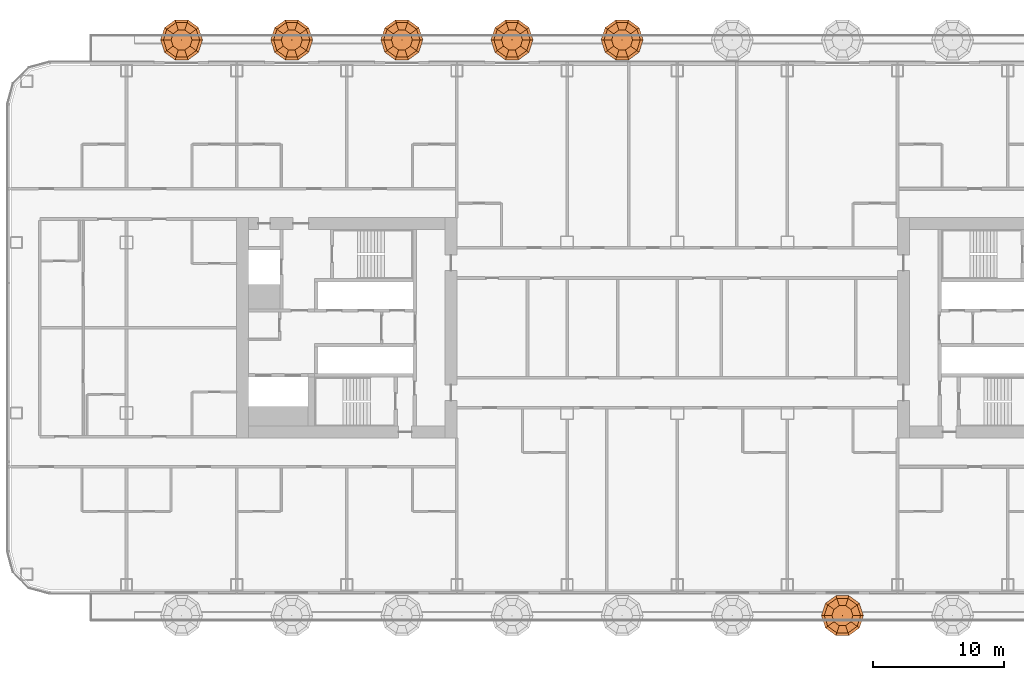
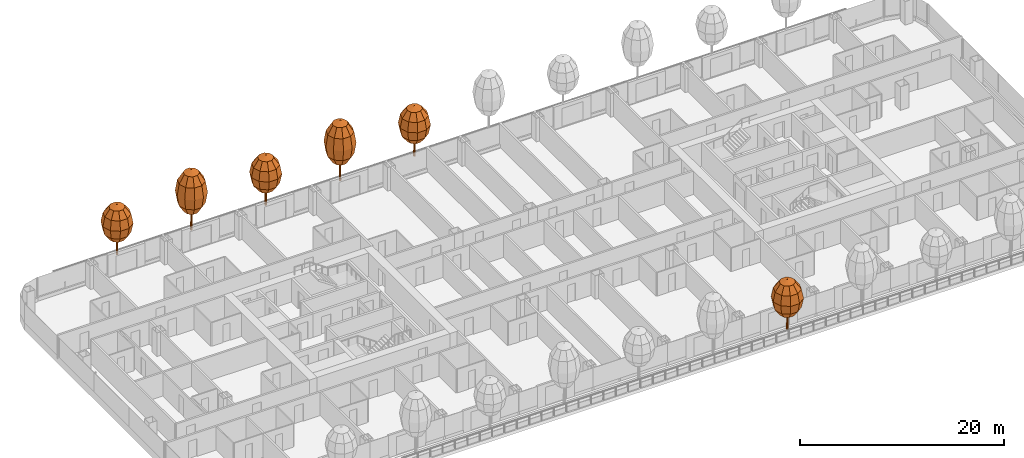
# One storey, part 33 of 35: 6 geographic elements.
"""IFC4 building model written with IfcOpenShell, lengths in metres."""

from ifc_helpers import new_model, si_unit, direction, frame, origin, place, context, subcontext, project, spatial, triangles, material, type_object, element, save


model = new_model("IFC4")

# Units and contexts
model_context = context("Model", 3, precision=1e-05, world=origin(), true_north=direction((0.0, 1.0)))
body_context = subcontext(model_context, "Body", "Model", "MODEL_VIEW")
ifc_project = project(units=[si_unit("LENGTHUNIT", "METRE"), si_unit("AREAUNIT", "SQUARE_METRE"), si_unit("VOLUMEUNIT", "CUBIC_METRE"), si_unit("PLANEANGLEUNIT", "RADIAN"), si_unit("MASSUNIT", "GRAM", prefix="KILO")], contexts=[model_context])

# Site, building, storey
site_placement = place(None, origin())
site = spatial("IfcSite", under=ifc_project, at=site_placement, CompositionType="ELEMENT")
building_placement = place(site_placement, origin())
building = spatial("IfcBuilding", under=site, at=building_placement, Name="Hakoniwa Tower and Hamabe Station Hall", CompositionType="ELEMENT")
storey_placement = place(building_placement, frame((0.0, 0.0, 51.800048828125)))
storey = spatial("IfcBuildingStorey", under=building, at=storey_placement, Name="L14", CompositionType="ELEMENT", Elevation=51.800048828125)

# Geographic elements
ifc_material_1 = material(Name="Tree foliage")
geographic_element_type_1 = type_object("IfcGeographicElementType", Name="Japanese maple 7.2 m", PredefinedType="USERDEFINED", material=ifc_material_1)
geographic_element_1_placement = place(storey_placement, frame((-29.39990234375, 21.949951171875, 0.89990234375)))
element("IfcGeographicElement", 1, at=geographic_element_1_placement, inside=storey, type_object=geographic_element_type_1, Name="Japanese maple 7-2 m", ObjectType="TREE", PredefinedType="USERDEFINED", context=body_context, shape_type="Tessellation", body=[
    triangles([(0.125, 0.0, 0.0), (0.08837890625, 0.08837890625, 0.0), (0.0, 0.125, 0.0), (-0.08837890625, 0.08837890625, 0.0), (-0.125, 0.0, 0.0), (-0.08837890625, -0.08837890625, 0.0), (0.0, -0.125, 0.0), (0.08837890625, -0.08837890625, 0.0), (0.074951171875, 0.0, 4.348876953125), (0.052978515625, 0.052978515625, 4.348876953125), (0.0, 0.074951171875, 4.348876953125), (-0.052978515625, 0.052978515625, 4.348876953125), (-0.074951171875, 0.0, 4.348876953125), (-0.052978515625, -0.052978515625, 4.348876953125), (0.0, -0.074951171875, 4.348876953125), (0.052978515625, -0.052978515625, 4.348876953125), (0.0, 0.0, 0.0), (0.0, 0.0, 4.348876953125)], [[1, 2, 10], [1, 10, 9], [17, 2, 1], [18, 9, 10], [2, 3, 11], [2, 11, 10], [17, 3, 2], [18, 10, 11], [3, 4, 12], [3, 12, 11], [17, 4, 3], [18, 11, 12], [4, 5, 13], [4, 13, 12], [17, 5, 4], [18, 12, 13], [5, 6, 14], [5, 14, 13], [17, 6, 5], [18, 13, 14], [6, 7, 15], [6, 15, 14], [17, 7, 6], [18, 14, 15], [7, 8, 16], [7, 16, 15], [17, 8, 7], [18, 15, 16], [8, 1, 9], [8, 9, 16], [17, 1, 8], [18, 16, 9]], closed=True),
    triangles([(0.0, 0.0, 2.015869140625), (0.800048828125, 0.0, 2.36328125), (0.647216796875, 0.47021484375, 2.36328125), (0.247314453125, 0.7607421875, 2.36328125), (-0.247314453125, 0.7607421875, 2.36328125), (-0.647216796875, 0.47021484375, 2.36328125), (-0.800048828125, 0.0, 2.36328125), (-0.647216796875, -0.47021484375, 2.36328125), (-0.247314453125, -0.7607421875, 2.36328125), (0.247314453125, -0.7607421875, 2.36328125), (0.647216796875, -0.47021484375, 2.36328125), (1.385498046875, 0.0, 3.31201171875), (1.12109375, 0.814453125, 3.31201171875), (0.42822265625, 1.31787109375, 3.31201171875), (-0.42822265625, 1.31787109375, 3.31201171875), (-1.12109375, 0.814453125, 3.31201171875), (-1.385498046875, 0.0, 3.31201171875), (-1.12109375, -0.814453125, 3.31201171875), (-0.42822265625, -1.31787109375, 3.31201171875), (0.42822265625, -1.31787109375, 3.31201171875), (1.12109375, -0.814453125, 3.31201171875), (1.60009765625, 0.0, 4.60791015625), (1.29443359375, 0.9404296875, 4.60791015625), (0.494384765625, 1.521728515625, 4.60791015625), (-0.494384765625, 1.521728515625, 4.60791015625), (-1.29443359375, 0.9404296875, 4.60791015625), (-1.60009765625, 0.0, 4.60791015625), (-1.29443359375, -0.9404296875, 4.60791015625), (-0.494384765625, -1.521728515625, 4.60791015625), (0.494384765625, -1.521728515625, 4.60791015625), (1.29443359375, -0.9404296875, 4.60791015625), (1.385498046875, 0.0, 5.904052734375), (1.12109375, 0.814453125, 5.904052734375), (0.42822265625, 1.31787109375, 5.904052734375), (-0.42822265625, 1.31787109375, 5.904052734375), (-1.12109375, 0.814453125, 5.904052734375), (-1.385498046875, 0.0, 5.904052734375), (-1.12109375, -0.814453125, 5.904052734375), (-0.42822265625, -1.31787109375, 5.904052734375), (0.42822265625, -1.31787109375, 5.904052734375), (1.12109375, -0.814453125, 5.904052734375), (0.800048828125, 0.0, 6.852783203125), (0.647216796875, 0.47021484375, 6.852783203125), (0.247314453125, 0.7607421875, 6.852783203125), (-0.247314453125, 0.7607421875, 6.852783203125), (-0.647216796875, 0.47021484375, 6.852783203125), (-0.800048828125, 0.0, 6.852783203125), (-0.647216796875, -0.47021484375, 6.852783203125), (-0.247314453125, -0.7607421875, 6.852783203125), (0.247314453125, -0.7607421875, 6.852783203125), (0.647216796875, -0.47021484375, 6.852783203125), (0.0, 0.0, 7.199951171875)], [[1, 3, 2], [1, 4, 3], [1, 5, 4], [1, 6, 5], [1, 7, 6], [1, 8, 7], [1, 9, 8], [1, 10, 9], [1, 11, 10], [1, 2, 11], [2, 3, 13], [2, 13, 12], [3, 4, 14], [3, 14, 13], [4, 5, 15], [4, 15, 14], [5, 6, 16], [5, 16, 15], [6, 7, 17], [6, 17, 16], [7, 8, 18], [7, 18, 17], [8, 9, 19], [8, 19, 18], [9, 10, 20], [9, 20, 19], [10, 11, 21], [10, 21, 20], [11, 2, 12], [11, 12, 21], [12, 13, 23], [12, 23, 22], [13, 14, 24], [13, 24, 23], [14, 15, 25], [14, 25, 24], [15, 16, 26], [15, 26, 25], [16, 17, 27], [16, 27, 26], [17, 18, 28], [17, 28, 27], [18, 19, 29], [18, 29, 28], [19, 20, 30], [19, 30, 29], [20, 21, 31], [20, 31, 30], [21, 12, 22], [21, 22, 31], [22, 23, 33], [22, 33, 32], [23, 24, 34], [23, 34, 33], [24, 25, 35], [24, 35, 34], [25, 26, 36], [25, 36, 35], [26, 27, 37], [26, 37, 36], [27, 28, 38], [27, 38, 37], [28, 29, 39], [28, 39, 38], [29, 30, 40], [29, 40, 39], [30, 31, 41], [30, 41, 40], [31, 22, 32], [31, 32, 41], [32, 33, 43], [32, 43, 42], [33, 34, 44], [33, 44, 43], [34, 35, 45], [34, 45, 44], [35, 36, 46], [35, 46, 45], [36, 37, 47], [36, 47, 46], [37, 38, 48], [37, 48, 47], [38, 39, 49], [38, 49, 48], [39, 40, 50], [39, 50, 49], [40, 41, 51], [40, 51, 50], [41, 32, 42], [41, 42, 51], [52, 42, 43], [52, 43, 44], [52, 44, 45], [52, 45, 46], [52, 46, 47], [52, 47, 48], [52, 48, 49], [52, 49, 50], [52, 50, 51], [52, 51, 42]], closed=True),
])
geographic_element_2_placement = place(storey_placement, frame((-12.60009765625, 21.949951171875, 0.89990234375)))
element("IfcGeographicElement", 2, at=geographic_element_2_placement, inside=storey, type_object=geographic_element_type_1, Name="Japanese maple 7-2 m", ObjectType="TREE", PredefinedType="USERDEFINED", context=body_context, shape_type="Tessellation", body=[
    triangles([(0.125, 0.0, 0.0), (0.08837890625, 0.08837890625, 0.0), (0.0, 0.125, 0.0), (-0.08837890625, 0.08837890625, 0.0), (-0.125, 0.0, 0.0), (-0.08837890625, -0.08837890625, 0.0), (0.0, -0.125, 0.0), (0.08837890625, -0.08837890625, 0.0), (0.074951171875, 0.0, 4.348876953125), (0.052978515625, 0.052978515625, 4.348876953125), (0.0, 0.074951171875, 4.348876953125), (-0.052978515625, 0.052978515625, 4.348876953125), (-0.074951171875, 0.0, 4.348876953125), (-0.052978515625, -0.052978515625, 4.348876953125), (0.0, -0.074951171875, 4.348876953125), (0.052978515625, -0.052978515625, 4.348876953125), (0.0, 0.0, 0.0), (0.0, 0.0, 4.348876953125)], [[1, 2, 10], [1, 10, 9], [17, 2, 1], [18, 9, 10], [2, 3, 11], [2, 11, 10], [17, 3, 2], [18, 10, 11], [3, 4, 12], [3, 12, 11], [17, 4, 3], [18, 11, 12], [4, 5, 13], [4, 13, 12], [17, 5, 4], [18, 12, 13], [5, 6, 14], [5, 14, 13], [17, 6, 5], [18, 13, 14], [6, 7, 15], [6, 15, 14], [17, 7, 6], [18, 14, 15], [7, 8, 16], [7, 16, 15], [17, 8, 7], [18, 15, 16], [8, 1, 9], [8, 9, 16], [17, 1, 8], [18, 16, 9]], closed=True),
    triangles([(0.0, 0.0, 2.015869140625), (0.800048828125, 0.0, 2.36328125), (0.647216796875, 0.47021484375, 2.36328125), (0.247314453125, 0.7607421875, 2.36328125), (-0.247314453125, 0.7607421875, 2.36328125), (-0.647216796875, 0.47021484375, 2.36328125), (-0.800048828125, 0.0, 2.36328125), (-0.647216796875, -0.47021484375, 2.36328125), (-0.247314453125, -0.7607421875, 2.36328125), (0.247314453125, -0.7607421875, 2.36328125), (0.647216796875, -0.47021484375, 2.36328125), (1.385498046875, 0.0, 3.31201171875), (1.12109375, 0.814453125, 3.31201171875), (0.42822265625, 1.31787109375, 3.31201171875), (-0.42822265625, 1.31787109375, 3.31201171875), (-1.12109375, 0.814453125, 3.31201171875), (-1.385498046875, 0.0, 3.31201171875), (-1.12109375, -0.814453125, 3.31201171875), (-0.42822265625, -1.31787109375, 3.31201171875), (0.42822265625, -1.31787109375, 3.31201171875), (1.12109375, -0.814453125, 3.31201171875), (1.60009765625, 0.0, 4.60791015625), (1.29443359375, 0.9404296875, 4.60791015625), (0.494384765625, 1.521728515625, 4.60791015625), (-0.494384765625, 1.521728515625, 4.60791015625), (-1.29443359375, 0.9404296875, 4.60791015625), (-1.60009765625, 0.0, 4.60791015625), (-1.29443359375, -0.9404296875, 4.60791015625), (-0.494384765625, -1.521728515625, 4.60791015625), (0.494384765625, -1.521728515625, 4.60791015625), (1.29443359375, -0.9404296875, 4.60791015625), (1.385498046875, 0.0, 5.904052734375), (1.12109375, 0.814453125, 5.904052734375), (0.42822265625, 1.31787109375, 5.904052734375), (-0.42822265625, 1.31787109375, 5.904052734375), (-1.12109375, 0.814453125, 5.904052734375), (-1.385498046875, 0.0, 5.904052734375), (-1.12109375, -0.814453125, 5.904052734375), (-0.42822265625, -1.31787109375, 5.904052734375), (0.42822265625, -1.31787109375, 5.904052734375), (1.12109375, -0.814453125, 5.904052734375), (0.800048828125, 0.0, 6.852783203125), (0.647216796875, 0.47021484375, 6.852783203125), (0.247314453125, 0.7607421875, 6.852783203125), (-0.247314453125, 0.7607421875, 6.852783203125), (-0.647216796875, 0.47021484375, 6.852783203125), (-0.800048828125, 0.0, 6.852783203125), (-0.647216796875, -0.47021484375, 6.852783203125), (-0.247314453125, -0.7607421875, 6.852783203125), (0.247314453125, -0.7607421875, 6.852783203125), (0.647216796875, -0.47021484375, 6.852783203125), (0.0, 0.0, 7.199951171875)], [[1, 3, 2], [1, 4, 3], [1, 5, 4], [1, 6, 5], [1, 7, 6], [1, 8, 7], [1, 9, 8], [1, 10, 9], [1, 11, 10], [1, 2, 11], [2, 3, 13], [2, 13, 12], [3, 4, 14], [3, 14, 13], [4, 5, 15], [4, 15, 14], [5, 6, 16], [5, 16, 15], [6, 7, 17], [6, 17, 16], [7, 8, 18], [7, 18, 17], [8, 9, 19], [8, 19, 18], [9, 10, 20], [9, 20, 19], [10, 11, 21], [10, 21, 20], [11, 2, 12], [11, 12, 21], [12, 13, 23], [12, 23, 22], [13, 14, 24], [13, 24, 23], [14, 15, 25], [14, 25, 24], [15, 16, 26], [15, 26, 25], [16, 17, 27], [16, 27, 26], [17, 18, 28], [17, 28, 27], [18, 19, 29], [18, 29, 28], [19, 20, 30], [19, 30, 29], [20, 21, 31], [20, 31, 30], [21, 12, 22], [21, 22, 31], [22, 23, 33], [22, 33, 32], [23, 24, 34], [23, 34, 33], [24, 25, 35], [24, 35, 34], [25, 26, 36], [25, 36, 35], [26, 27, 37], [26, 37, 36], [27, 28, 38], [27, 38, 37], [28, 29, 39], [28, 39, 38], [29, 30, 40], [29, 40, 39], [30, 31, 41], [30, 41, 40], [31, 22, 32], [31, 32, 41], [32, 33, 43], [32, 43, 42], [33, 34, 44], [33, 44, 43], [34, 35, 45], [34, 45, 44], [35, 36, 46], [35, 46, 45], [36, 37, 47], [36, 47, 46], [37, 38, 48], [37, 48, 47], [38, 39, 49], [38, 49, 48], [39, 40, 50], [39, 50, 49], [40, 41, 51], [40, 51, 50], [41, 32, 42], [41, 42, 51], [52, 42, 43], [52, 43, 44], [52, 44, 45], [52, 45, 46], [52, 46, 47], [52, 47, 48], [52, 48, 49], [52, 49, 50], [52, 50, 51], [52, 51, 42]], closed=True),
])
ifc_material_2 = material(Name="Tree foliage")
geographic_element_type_2 = type_object("IfcGeographicElementType", Name="Osmanthus 6.0 m", PredefinedType="USERDEFINED", material=ifc_material_2)
geographic_element_3_placement = place(storey_placement, frame((-37.800048828125, 21.949951171875, 0.89990234375)))
element("IfcGeographicElement", 3, at=geographic_element_3_placement, inside=storey, type_object=geographic_element_type_2, Name="Osmanthus 6-0 m", ObjectType="TREE", PredefinedType="USERDEFINED", context=body_context, shape_type="Tessellation", body=[
    triangles([(0.125, 0.0, 0.0), (0.08837890625, 0.08837890625, 0.0), (0.0, 0.125, 0.0), (-0.08837890625, 0.08837890625, 0.0), (-0.125, 0.0, 0.0), (-0.08837890625, -0.08837890625, 0.0), (0.0, -0.125, 0.0), (0.08837890625, -0.08837890625, 0.0), (0.074951171875, 0.0, 3.6240234375), (0.052978515625, 0.052978515625, 3.6240234375), (0.0, 0.074951171875, 3.6240234375), (-0.052978515625, 0.052978515625, 3.6240234375), (-0.074951171875, 0.0, 3.6240234375), (-0.052978515625, -0.052978515625, 3.6240234375), (0.0, -0.074951171875, 3.6240234375), (0.052978515625, -0.052978515625, 3.6240234375), (0.0, 0.0, 0.0), (0.0, 0.0, 3.6240234375)], [[1, 2, 10], [1, 10, 9], [17, 2, 1], [18, 9, 10], [2, 3, 11], [2, 11, 10], [17, 3, 2], [18, 10, 11], [3, 4, 12], [3, 12, 11], [17, 4, 3], [18, 11, 12], [4, 5, 13], [4, 13, 12], [17, 5, 4], [18, 12, 13], [5, 6, 14], [5, 14, 13], [17, 6, 5], [18, 13, 14], [6, 7, 15], [6, 15, 14], [17, 7, 6], [18, 14, 15], [7, 8, 16], [7, 16, 15], [17, 8, 7], [18, 15, 16], [8, 1, 9], [8, 9, 16], [17, 1, 8], [18, 16, 9]], closed=True),
    triangles([(0.0, 0.0, 1.679931640625), (0.800048828125, 0.0, 1.969482421875), (0.647216796875, 0.47021484375, 1.969482421875), (0.247314453125, 0.7607421875, 1.969482421875), (-0.247314453125, 0.7607421875, 1.969482421875), (-0.647216796875, 0.47021484375, 1.969482421875), (-0.800048828125, 0.0, 1.969482421875), (-0.647216796875, -0.47021484375, 1.969482421875), (-0.247314453125, -0.7607421875, 1.969482421875), (0.247314453125, -0.7607421875, 1.969482421875), (0.647216796875, -0.47021484375, 1.969482421875), (1.385498046875, 0.0, 2.760009765625), (1.12109375, 0.814453125, 2.760009765625), (0.42822265625, 1.31787109375, 2.760009765625), (-0.42822265625, 1.31787109375, 2.760009765625), (-1.12109375, 0.814453125, 2.760009765625), (-1.385498046875, 0.0, 2.760009765625), (-1.12109375, -0.814453125, 2.760009765625), (-0.42822265625, -1.31787109375, 2.760009765625), (0.42822265625, -1.31787109375, 2.760009765625), (1.12109375, -0.814453125, 2.760009765625), (1.60009765625, 0.0, 3.840087890625), (1.29443359375, 0.9404296875, 3.840087890625), (0.494384765625, 1.521728515625, 3.840087890625), (-0.494384765625, 1.521728515625, 3.840087890625), (-1.29443359375, 0.9404296875, 3.840087890625), (-1.60009765625, 0.0, 3.840087890625), (-1.29443359375, -0.9404296875, 3.840087890625), (-0.494384765625, -1.521728515625, 3.840087890625), (0.494384765625, -1.521728515625, 3.840087890625), (1.29443359375, -0.9404296875, 3.840087890625), (1.385498046875, 0.0, 4.919921875), (1.12109375, 0.814453125, 4.919921875), (0.42822265625, 1.31787109375, 4.919921875), (-0.42822265625, 1.31787109375, 4.919921875), (-1.12109375, 0.814453125, 4.919921875), (-1.385498046875, 0.0, 4.919921875), (-1.12109375, -0.814453125, 4.919921875), (-0.42822265625, -1.31787109375, 4.919921875), (0.42822265625, -1.31787109375, 4.919921875), (1.12109375, -0.814453125, 4.919921875), (0.800048828125, 0.0, 5.710693359375), (0.647216796875, 0.47021484375, 5.710693359375), (0.247314453125, 0.7607421875, 5.710693359375), (-0.247314453125, 0.7607421875, 5.710693359375), (-0.647216796875, 0.47021484375, 5.710693359375), (-0.800048828125, 0.0, 5.710693359375), (-0.647216796875, -0.47021484375, 5.710693359375), (-0.247314453125, -0.7607421875, 5.710693359375), (0.247314453125, -0.7607421875, 5.710693359375), (0.647216796875, -0.47021484375, 5.710693359375), (0.0, 0.0, 6.0)], [[1, 3, 2], [1, 4, 3], [1, 5, 4], [1, 6, 5], [1, 7, 6], [1, 8, 7], [1, 9, 8], [1, 10, 9], [1, 11, 10], [1, 2, 11], [2, 3, 13], [2, 13, 12], [3, 4, 14], [3, 14, 13], [4, 5, 15], [4, 15, 14], [5, 6, 16], [5, 16, 15], [6, 7, 17], [6, 17, 16], [7, 8, 18], [7, 18, 17], [8, 9, 19], [8, 19, 18], [9, 10, 20], [9, 20, 19], [10, 11, 21], [10, 21, 20], [11, 2, 12], [11, 12, 21], [12, 13, 23], [12, 23, 22], [13, 14, 24], [13, 24, 23], [14, 15, 25], [14, 25, 24], [15, 16, 26], [15, 26, 25], [16, 17, 27], [16, 27, 26], [17, 18, 28], [17, 28, 27], [18, 19, 29], [18, 29, 28], [19, 20, 30], [19, 30, 29], [20, 21, 31], [20, 31, 30], [21, 12, 22], [21, 22, 31], [22, 23, 33], [22, 33, 32], [23, 24, 34], [23, 34, 33], [24, 25, 35], [24, 35, 34], [25, 26, 36], [25, 36, 35], [26, 27, 37], [26, 37, 36], [27, 28, 38], [27, 38, 37], [28, 29, 39], [28, 39, 38], [29, 30, 40], [29, 40, 39], [30, 31, 41], [30, 41, 40], [31, 22, 32], [31, 32, 41], [32, 33, 43], [32, 43, 42], [33, 34, 44], [33, 44, 43], [34, 35, 45], [34, 45, 44], [35, 36, 46], [35, 46, 45], [36, 37, 47], [36, 47, 46], [37, 38, 48], [37, 48, 47], [38, 39, 49], [38, 49, 48], [39, 40, 50], [39, 50, 49], [40, 41, 51], [40, 51, 50], [41, 32, 42], [41, 42, 51], [52, 42, 43], [52, 43, 44], [52, 44, 45], [52, 45, 46], [52, 46, 47], [52, 47, 48], [52, 48, 49], [52, 49, 50], [52, 50, 51], [52, 51, 42]], closed=True),
])
geographic_element_4_placement = place(storey_placement, frame((-21.0, 21.949951171875, 0.89990234375)))
element("IfcGeographicElement", 4, at=geographic_element_4_placement, inside=storey, type_object=geographic_element_type_2, Name="Osmanthus 6-0 m", ObjectType="TREE", PredefinedType="USERDEFINED", context=body_context, shape_type="Tessellation", body=[
    triangles([(0.125, 0.0, 0.0), (0.08837890625, 0.08837890625, 0.0), (0.0, 0.125, 0.0), (-0.08837890625, 0.08837890625, 0.0), (-0.125, 0.0, 0.0), (-0.08837890625, -0.08837890625, 0.0), (0.0, -0.125, 0.0), (0.08837890625, -0.08837890625, 0.0), (0.074951171875, 0.0, 3.6240234375), (0.052978515625, 0.052978515625, 3.6240234375), (0.0, 0.074951171875, 3.6240234375), (-0.052978515625, 0.052978515625, 3.6240234375), (-0.074951171875, 0.0, 3.6240234375), (-0.052978515625, -0.052978515625, 3.6240234375), (0.0, -0.074951171875, 3.6240234375), (0.052978515625, -0.052978515625, 3.6240234375), (0.0, 0.0, 0.0), (0.0, 0.0, 3.6240234375)], [[1, 2, 10], [1, 10, 9], [17, 2, 1], [18, 9, 10], [2, 3, 11], [2, 11, 10], [17, 3, 2], [18, 10, 11], [3, 4, 12], [3, 12, 11], [17, 4, 3], [18, 11, 12], [4, 5, 13], [4, 13, 12], [17, 5, 4], [18, 12, 13], [5, 6, 14], [5, 14, 13], [17, 6, 5], [18, 13, 14], [6, 7, 15], [6, 15, 14], [17, 7, 6], [18, 14, 15], [7, 8, 16], [7, 16, 15], [17, 8, 7], [18, 15, 16], [8, 1, 9], [8, 9, 16], [17, 1, 8], [18, 16, 9]], closed=True),
    triangles([(0.0, 0.0, 1.679931640625), (0.800048828125, 0.0, 1.969482421875), (0.647216796875, 0.47021484375, 1.969482421875), (0.247314453125, 0.7607421875, 1.969482421875), (-0.247314453125, 0.7607421875, 1.969482421875), (-0.647216796875, 0.47021484375, 1.969482421875), (-0.800048828125, 0.0, 1.969482421875), (-0.647216796875, -0.47021484375, 1.969482421875), (-0.247314453125, -0.7607421875, 1.969482421875), (0.247314453125, -0.7607421875, 1.969482421875), (0.647216796875, -0.47021484375, 1.969482421875), (1.385498046875, 0.0, 2.760009765625), (1.12109375, 0.814453125, 2.760009765625), (0.42822265625, 1.31787109375, 2.760009765625), (-0.42822265625, 1.31787109375, 2.760009765625), (-1.12109375, 0.814453125, 2.760009765625), (-1.385498046875, 0.0, 2.760009765625), (-1.12109375, -0.814453125, 2.760009765625), (-0.42822265625, -1.31787109375, 2.760009765625), (0.42822265625, -1.31787109375, 2.760009765625), (1.12109375, -0.814453125, 2.760009765625), (1.60009765625, 0.0, 3.840087890625), (1.29443359375, 0.9404296875, 3.840087890625), (0.494384765625, 1.521728515625, 3.840087890625), (-0.494384765625, 1.521728515625, 3.840087890625), (-1.29443359375, 0.9404296875, 3.840087890625), (-1.60009765625, 0.0, 3.840087890625), (-1.29443359375, -0.9404296875, 3.840087890625), (-0.494384765625, -1.521728515625, 3.840087890625), (0.494384765625, -1.521728515625, 3.840087890625), (1.29443359375, -0.9404296875, 3.840087890625), (1.385498046875, 0.0, 4.919921875), (1.12109375, 0.814453125, 4.919921875), (0.42822265625, 1.31787109375, 4.919921875), (-0.42822265625, 1.31787109375, 4.919921875), (-1.12109375, 0.814453125, 4.919921875), (-1.385498046875, 0.0, 4.919921875), (-1.12109375, -0.814453125, 4.919921875), (-0.42822265625, -1.31787109375, 4.919921875), (0.42822265625, -1.31787109375, 4.919921875), (1.12109375, -0.814453125, 4.919921875), (0.800048828125, 0.0, 5.710693359375), (0.647216796875, 0.47021484375, 5.710693359375), (0.247314453125, 0.7607421875, 5.710693359375), (-0.247314453125, 0.7607421875, 5.710693359375), (-0.647216796875, 0.47021484375, 5.710693359375), (-0.800048828125, 0.0, 5.710693359375), (-0.647216796875, -0.47021484375, 5.710693359375), (-0.247314453125, -0.7607421875, 5.710693359375), (0.247314453125, -0.7607421875, 5.710693359375), (0.647216796875, -0.47021484375, 5.710693359375), (0.0, 0.0, 6.0)], [[1, 3, 2], [1, 4, 3], [1, 5, 4], [1, 6, 5], [1, 7, 6], [1, 8, 7], [1, 9, 8], [1, 10, 9], [1, 11, 10], [1, 2, 11], [2, 3, 13], [2, 13, 12], [3, 4, 14], [3, 14, 13], [4, 5, 15], [4, 15, 14], [5, 6, 16], [5, 16, 15], [6, 7, 17], [6, 17, 16], [7, 8, 18], [7, 18, 17], [8, 9, 19], [8, 19, 18], [9, 10, 20], [9, 20, 19], [10, 11, 21], [10, 21, 20], [11, 2, 12], [11, 12, 21], [12, 13, 23], [12, 23, 22], [13, 14, 24], [13, 24, 23], [14, 15, 25], [14, 25, 24], [15, 16, 26], [15, 26, 25], [16, 17, 27], [16, 27, 26], [17, 18, 28], [17, 28, 27], [18, 19, 29], [18, 29, 28], [19, 20, 30], [19, 30, 29], [20, 21, 31], [20, 31, 30], [21, 12, 22], [21, 22, 31], [22, 23, 33], [22, 33, 32], [23, 24, 34], [23, 34, 33], [24, 25, 35], [24, 35, 34], [25, 26, 36], [25, 36, 35], [26, 27, 37], [26, 37, 36], [27, 28, 38], [27, 38, 37], [28, 29, 39], [28, 39, 38], [29, 30, 40], [29, 40, 39], [30, 31, 41], [30, 41, 40], [31, 22, 32], [31, 32, 41], [32, 33, 43], [32, 43, 42], [33, 34, 44], [33, 44, 43], [34, 35, 45], [34, 45, 44], [35, 36, 46], [35, 46, 45], [36, 37, 47], [36, 47, 46], [37, 38, 48], [37, 48, 47], [38, 39, 49], [38, 49, 48], [39, 40, 50], [39, 50, 49], [40, 41, 51], [40, 51, 50], [41, 32, 42], [41, 42, 51], [52, 42, 43], [52, 43, 44], [52, 44, 45], [52, 45, 46], [52, 46, 47], [52, 47, 48], [52, 48, 49], [52, 49, 50], [52, 50, 51], [52, 51, 42]], closed=True),
])
geographic_element_5_placement = place(storey_placement, frame((-4.199951171875, 21.949951171875, 0.89990234375)))
element("IfcGeographicElement", 5, at=geographic_element_5_placement, inside=storey, type_object=geographic_element_type_2, Name="Osmanthus 6-0 m", ObjectType="TREE", PredefinedType="USERDEFINED", context=body_context, shape_type="Tessellation", body=[
    triangles([(0.125, 0.0, 0.0), (0.08837890625, 0.08837890625, 0.0), (0.0, 0.125, 0.0), (-0.08837890625, 0.08837890625, 0.0), (-0.125, 0.0, 0.0), (-0.08837890625, -0.08837890625, 0.0), (0.0, -0.125, 0.0), (0.08837890625, -0.08837890625, 0.0), (0.074951171875, 0.0, 3.6240234375), (0.052978515625, 0.052978515625, 3.6240234375), (0.0, 0.074951171875, 3.6240234375), (-0.052978515625, 0.052978515625, 3.6240234375), (-0.074951171875, 0.0, 3.6240234375), (-0.052978515625, -0.052978515625, 3.6240234375), (0.0, -0.074951171875, 3.6240234375), (0.052978515625, -0.052978515625, 3.6240234375), (0.0, 0.0, 0.0), (0.0, 0.0, 3.6240234375)], [[1, 2, 10], [1, 10, 9], [17, 2, 1], [18, 9, 10], [2, 3, 11], [2, 11, 10], [17, 3, 2], [18, 10, 11], [3, 4, 12], [3, 12, 11], [17, 4, 3], [18, 11, 12], [4, 5, 13], [4, 13, 12], [17, 5, 4], [18, 12, 13], [5, 6, 14], [5, 14, 13], [17, 6, 5], [18, 13, 14], [6, 7, 15], [6, 15, 14], [17, 7, 6], [18, 14, 15], [7, 8, 16], [7, 16, 15], [17, 8, 7], [18, 15, 16], [8, 1, 9], [8, 9, 16], [17, 1, 8], [18, 16, 9]], closed=True),
    triangles([(0.0, 0.0, 1.679931640625), (0.800048828125, 0.0, 1.969482421875), (0.647216796875, 0.47021484375, 1.969482421875), (0.247314453125, 0.7607421875, 1.969482421875), (-0.247314453125, 0.7607421875, 1.969482421875), (-0.647216796875, 0.47021484375, 1.969482421875), (-0.800048828125, 0.0, 1.969482421875), (-0.647216796875, -0.47021484375, 1.969482421875), (-0.247314453125, -0.7607421875, 1.969482421875), (0.247314453125, -0.7607421875, 1.969482421875), (0.647216796875, -0.47021484375, 1.969482421875), (1.385498046875, 0.0, 2.760009765625), (1.12109375, 0.814453125, 2.760009765625), (0.42822265625, 1.31787109375, 2.760009765625), (-0.42822265625, 1.31787109375, 2.760009765625), (-1.12109375, 0.814453125, 2.760009765625), (-1.385498046875, 0.0, 2.760009765625), (-1.12109375, -0.814453125, 2.760009765625), (-0.42822265625, -1.31787109375, 2.760009765625), (0.42822265625, -1.31787109375, 2.760009765625), (1.12109375, -0.814453125, 2.760009765625), (1.60009765625, 0.0, 3.840087890625), (1.29443359375, 0.9404296875, 3.840087890625), (0.494384765625, 1.521728515625, 3.840087890625), (-0.494384765625, 1.521728515625, 3.840087890625), (-1.29443359375, 0.9404296875, 3.840087890625), (-1.60009765625, 0.0, 3.840087890625), (-1.29443359375, -0.9404296875, 3.840087890625), (-0.494384765625, -1.521728515625, 3.840087890625), (0.494384765625, -1.521728515625, 3.840087890625), (1.29443359375, -0.9404296875, 3.840087890625), (1.385498046875, 0.0, 4.919921875), (1.12109375, 0.814453125, 4.919921875), (0.42822265625, 1.31787109375, 4.919921875), (-0.42822265625, 1.31787109375, 4.919921875), (-1.12109375, 0.814453125, 4.919921875), (-1.385498046875, 0.0, 4.919921875), (-1.12109375, -0.814453125, 4.919921875), (-0.42822265625, -1.31787109375, 4.919921875), (0.42822265625, -1.31787109375, 4.919921875), (1.12109375, -0.814453125, 4.919921875), (0.800048828125, 0.0, 5.710693359375), (0.647216796875, 0.47021484375, 5.710693359375), (0.247314453125, 0.7607421875, 5.710693359375), (-0.247314453125, 0.7607421875, 5.710693359375), (-0.647216796875, 0.47021484375, 5.710693359375), (-0.800048828125, 0.0, 5.710693359375), (-0.647216796875, -0.47021484375, 5.710693359375), (-0.247314453125, -0.7607421875, 5.710693359375), (0.247314453125, -0.7607421875, 5.710693359375), (0.647216796875, -0.47021484375, 5.710693359375), (0.0, 0.0, 6.0)], [[1, 3, 2], [1, 4, 3], [1, 5, 4], [1, 6, 5], [1, 7, 6], [1, 8, 7], [1, 9, 8], [1, 10, 9], [1, 11, 10], [1, 2, 11], [2, 3, 13], [2, 13, 12], [3, 4, 14], [3, 14, 13], [4, 5, 15], [4, 15, 14], [5, 6, 16], [5, 16, 15], [6, 7, 17], [6, 17, 16], [7, 8, 18], [7, 18, 17], [8, 9, 19], [8, 19, 18], [9, 10, 20], [9, 20, 19], [10, 11, 21], [10, 21, 20], [11, 2, 12], [11, 12, 21], [12, 13, 23], [12, 23, 22], [13, 14, 24], [13, 24, 23], [14, 15, 25], [14, 25, 24], [15, 16, 26], [15, 26, 25], [16, 17, 27], [16, 27, 26], [17, 18, 28], [17, 28, 27], [18, 19, 29], [18, 29, 28], [19, 20, 30], [19, 30, 29], [20, 21, 31], [20, 31, 30], [21, 12, 22], [21, 22, 31], [22, 23, 33], [22, 33, 32], [23, 24, 34], [23, 34, 33], [24, 25, 35], [24, 35, 34], [25, 26, 36], [25, 36, 35], [26, 27, 37], [26, 37, 36], [27, 28, 38], [27, 38, 37], [28, 29, 39], [28, 39, 38], [29, 30, 40], [29, 40, 39], [30, 31, 41], [30, 41, 40], [31, 22, 32], [31, 32, 41], [32, 33, 43], [32, 43, 42], [33, 34, 44], [33, 44, 43], [34, 35, 45], [34, 45, 44], [35, 36, 46], [35, 46, 45], [36, 37, 47], [36, 47, 46], [37, 38, 48], [37, 48, 47], [38, 39, 49], [38, 49, 48], [39, 40, 50], [39, 50, 49], [40, 41, 51], [40, 51, 50], [41, 32, 42], [41, 42, 51], [52, 42, 43], [52, 43, 44], [52, 44, 45], [52, 45, 46], [52, 46, 47], [52, 47, 48], [52, 48, 49], [52, 49, 50], [52, 50, 51], [52, 51, 42]], closed=True),
])
geographic_element_6_placement = place(storey_placement, frame((12.60009765625, -21.949951171875, 0.89990234375)))
element("IfcGeographicElement", 6, at=geographic_element_6_placement, inside=storey, type_object=geographic_element_type_2, Name="Osmanthus 6-0 m", ObjectType="TREE", PredefinedType="USERDEFINED", context=body_context, shape_type="Tessellation", body=[
    triangles([(0.125, 0.0, 0.0), (0.08837890625, 0.08837890625, 0.0), (0.0, 0.125, 0.0), (-0.08837890625, 0.08837890625, 0.0), (-0.125, 0.0, 0.0), (-0.08837890625, -0.08837890625, 0.0), (0.0, -0.125, 0.0), (0.08837890625, -0.08837890625, 0.0), (0.074951171875, 0.0, 3.6240234375), (0.052978515625, 0.052978515625, 3.6240234375), (0.0, 0.074951171875, 3.6240234375), (-0.052978515625, 0.052978515625, 3.6240234375), (-0.074951171875, 0.0, 3.6240234375), (-0.052978515625, -0.052978515625, 3.6240234375), (0.0, -0.074951171875, 3.6240234375), (0.052978515625, -0.052978515625, 3.6240234375), (0.0, 0.0, 0.0), (0.0, 0.0, 3.6240234375)], [[1, 2, 10], [1, 10, 9], [17, 2, 1], [18, 9, 10], [2, 3, 11], [2, 11, 10], [17, 3, 2], [18, 10, 11], [3, 4, 12], [3, 12, 11], [17, 4, 3], [18, 11, 12], [4, 5, 13], [4, 13, 12], [17, 5, 4], [18, 12, 13], [5, 6, 14], [5, 14, 13], [17, 6, 5], [18, 13, 14], [6, 7, 15], [6, 15, 14], [17, 7, 6], [18, 14, 15], [7, 8, 16], [7, 16, 15], [17, 8, 7], [18, 15, 16], [8, 1, 9], [8, 9, 16], [17, 1, 8], [18, 16, 9]], closed=True),
    triangles([(0.0, 0.0, 1.679931640625), (0.800048828125, 0.0, 1.969482421875), (0.647216796875, 0.47021484375, 1.969482421875), (0.247314453125, 0.7607421875, 1.969482421875), (-0.247314453125, 0.7607421875, 1.969482421875), (-0.647216796875, 0.47021484375, 1.969482421875), (-0.800048828125, 0.0, 1.969482421875), (-0.647216796875, -0.47021484375, 1.969482421875), (-0.247314453125, -0.7607421875, 1.969482421875), (0.247314453125, -0.7607421875, 1.969482421875), (0.647216796875, -0.47021484375, 1.969482421875), (1.385498046875, 0.0, 2.760009765625), (1.12109375, 0.814453125, 2.760009765625), (0.42822265625, 1.31787109375, 2.760009765625), (-0.42822265625, 1.31787109375, 2.760009765625), (-1.12109375, 0.814453125, 2.760009765625), (-1.385498046875, 0.0, 2.760009765625), (-1.12109375, -0.814453125, 2.760009765625), (-0.42822265625, -1.31787109375, 2.760009765625), (0.42822265625, -1.31787109375, 2.760009765625), (1.12109375, -0.814453125, 2.760009765625), (1.60009765625, 0.0, 3.840087890625), (1.29443359375, 0.9404296875, 3.840087890625), (0.494384765625, 1.521728515625, 3.840087890625), (-0.494384765625, 1.521728515625, 3.840087890625), (-1.29443359375, 0.9404296875, 3.840087890625), (-1.60009765625, 0.0, 3.840087890625), (-1.29443359375, -0.9404296875, 3.840087890625), (-0.494384765625, -1.521728515625, 3.840087890625), (0.494384765625, -1.521728515625, 3.840087890625), (1.29443359375, -0.9404296875, 3.840087890625), (1.385498046875, 0.0, 4.919921875), (1.12109375, 0.814453125, 4.919921875), (0.42822265625, 1.31787109375, 4.919921875), (-0.42822265625, 1.31787109375, 4.919921875), (-1.12109375, 0.814453125, 4.919921875), (-1.385498046875, 0.0, 4.919921875), (-1.12109375, -0.814453125, 4.919921875), (-0.42822265625, -1.31787109375, 4.919921875), (0.42822265625, -1.31787109375, 4.919921875), (1.12109375, -0.814453125, 4.919921875), (0.800048828125, 0.0, 5.710693359375), (0.647216796875, 0.47021484375, 5.710693359375), (0.247314453125, 0.7607421875, 5.710693359375), (-0.247314453125, 0.7607421875, 5.710693359375), (-0.647216796875, 0.47021484375, 5.710693359375), (-0.800048828125, 0.0, 5.710693359375), (-0.647216796875, -0.47021484375, 5.710693359375), (-0.247314453125, -0.7607421875, 5.710693359375), (0.247314453125, -0.7607421875, 5.710693359375), (0.647216796875, -0.47021484375, 5.710693359375), (0.0, 0.0, 6.0)], [[1, 3, 2], [1, 4, 3], [1, 5, 4], [1, 6, 5], [1, 7, 6], [1, 8, 7], [1, 9, 8], [1, 10, 9], [1, 11, 10], [1, 2, 11], [2, 3, 13], [2, 13, 12], [3, 4, 14], [3, 14, 13], [4, 5, 15], [4, 15, 14], [5, 6, 16], [5, 16, 15], [6, 7, 17], [6, 17, 16], [7, 8, 18], [7, 18, 17], [8, 9, 19], [8, 19, 18], [9, 10, 20], [9, 20, 19], [10, 11, 21], [10, 21, 20], [11, 2, 12], [11, 12, 21], [12, 13, 23], [12, 23, 22], [13, 14, 24], [13, 24, 23], [14, 15, 25], [14, 25, 24], [15, 16, 26], [15, 26, 25], [16, 17, 27], [16, 27, 26], [17, 18, 28], [17, 28, 27], [18, 19, 29], [18, 29, 28], [19, 20, 30], [19, 30, 29], [20, 21, 31], [20, 31, 30], [21, 12, 22], [21, 22, 31], [22, 23, 33], [22, 33, 32], [23, 24, 34], [23, 34, 33], [24, 25, 35], [24, 35, 34], [25, 26, 36], [25, 36, 35], [26, 27, 37], [26, 37, 36], [27, 28, 38], [27, 38, 37], [28, 29, 39], [28, 39, 38], [29, 30, 40], [29, 40, 39], [30, 31, 41], [30, 41, 40], [31, 22, 32], [31, 32, 41], [32, 33, 43], [32, 43, 42], [33, 34, 44], [33, 44, 43], [34, 35, 45], [34, 45, 44], [35, 36, 46], [35, 46, 45], [36, 37, 47], [36, 47, 46], [37, 38, 48], [37, 48, 47], [38, 39, 49], [38, 49, 48], [39, 40, 50], [39, 50, 49], [40, 41, 51], [40, 51, 50], [41, 32, 42], [41, 42, 51], [52, 42, 43], [52, 43, 44], [52, 44, 45], [52, 45, 46], [52, 46, 47], [52, 47, 48], [52, 48, 49], [52, 49, 50], [52, 50, 51], [52, 51, 42]], closed=True),
])

save(model, "model.ifc")
